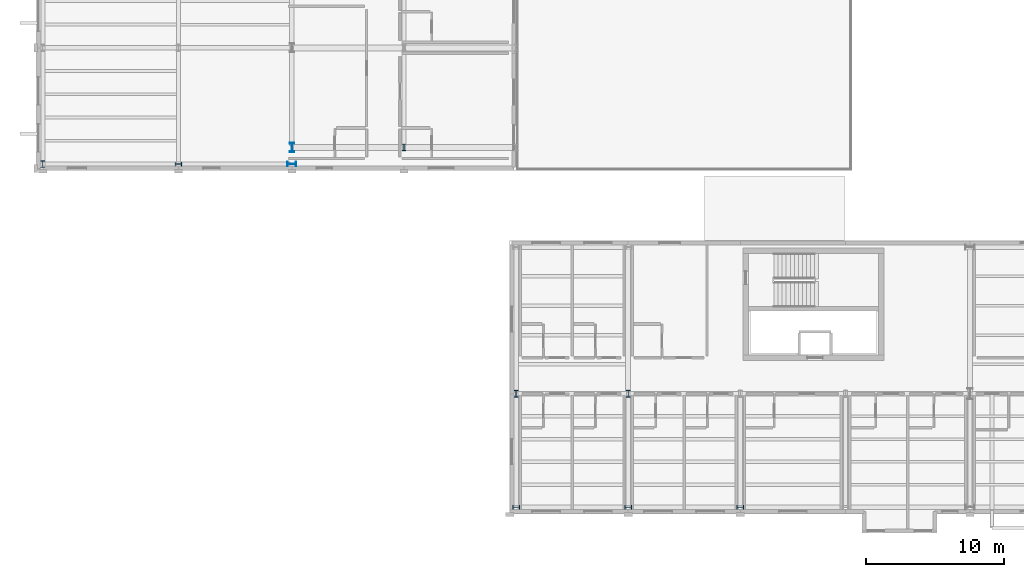
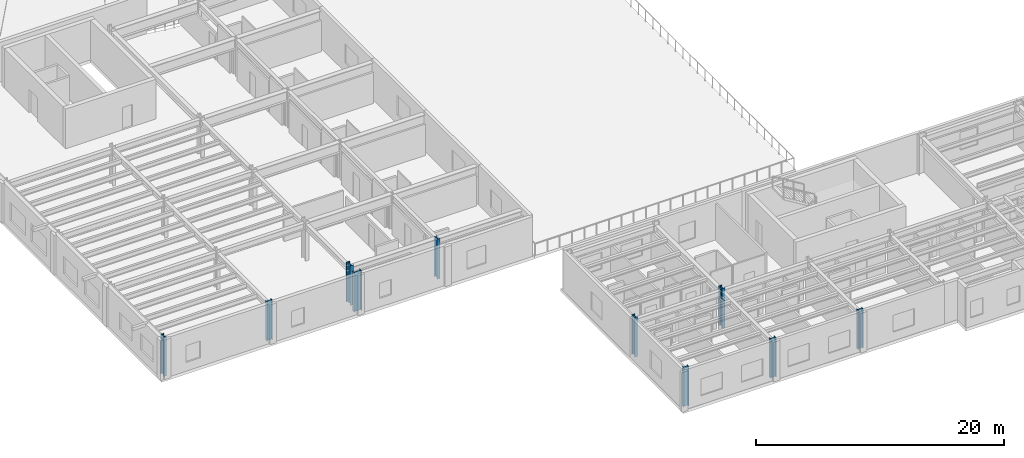
# One storey, part 1 of 59: 10 columns.
"""IFC4 building model written with IfcOpenShell, lengths in metres."""

import ifcopenshell
import ifcopenshell.guid

model = None  # the IFC model being written
_history = None  # IfcOwnerHistory: only IFC2X3 demands one
_inside = {}  # id of a spatial element -> (the spatial element, [elements in it])
_under = {}  # id of a project, library or spatial element -> (it, [spatial elements below it])
_declared = {}  # id of a project -> (the project, [libraries it declares])
_typed = {}  # id of a type object -> (the type object, [elements of that type])
_made_of = {}  # id of a material, layer set ... -> (it, [elements and type objects made of it])


def new_model(schema):
    """Start an empty IFC model of exactly this schema.

    Asked for "IFC4X3", IfcOpenShell would pick the latest addendum, in which some entities
    have other attributes; the version numbers below select the first issue.
    IFC2X3 requires an IfcOwnerHistory on every rooted entity: one is made here for all.
    """
    global model, _history
    if schema == "IFC4X3":
        model = ifcopenshell.file(schema_version=(4, 3, 0, 0))
    else:
        model = ifcopenshell.file(schema=schema)
    _inside.clear()
    _under.clear()
    _declared.clear()
    _typed.clear()
    _made_of.clear()
    _history = None
    if model.schema == "IFC2X3":
        org = make("IfcOrganization", Name="unknown")
        user = make(
            "IfcPersonAndOrganization",
            ThePerson=make("IfcPerson", FamilyName="unknown"),
            TheOrganization=org,
        )
        app = make(
            "IfcApplication",
            ApplicationDeveloper=org,
            Version="unknown",
            ApplicationFullName="unknown",
            ApplicationIdentifier="unknown",
        )
        _history = make(
            "IfcOwnerHistory",
            OwningUser=user,
            OwningApplication=app,
            ChangeAction="ADDED",
            CreationDate=0,
        )
    return model


def make(cls, **values):
    """One entity of the class cls with the attributes given. An attribute that is None is left unset."""
    return model.create_entity(
        cls, **{name: value for name, value in values.items() if value is not None}
    )


def rooted(cls, **values):
    """An entity with a GlobalId (a new one), such as an element, a storey or a relation."""
    return make(cls, GlobalId=ifcopenshell.guid.new(), OwnerHistory=_history, **values)


def si_unit(unit_type, name, prefix=None):
    """IfcSIUnit, for example si_unit("LENGTHUNIT", "METRE", prefix="MILLI")."""
    return make("IfcSIUnit", UnitType=unit_type, Prefix=prefix, Name=name)


def assignment(units):
    """IfcUnitAssignment: the units of a project."""
    return None if units is None else make("IfcUnitAssignment", Units=units)


def point(xyz):
    """IfcCartesianPoint."""
    return None if xyz is None else make("IfcCartesianPoint", Coordinates=xyz)


def direction(xyz):
    """IfcDirection."""
    return None if xyz is None else make("IfcDirection", DirectionRatios=xyz)


def frame(location, z_axis=None, x_axis=None):
    """IfcAxis2Placement3D, a coordinate frame: its origin and axes. An axis left out is left unset."""
    return make(
        "IfcAxis2Placement3D",
        Location=point(location),
        Axis=direction(z_axis),
        RefDirection=direction(x_axis),
    )


def frame_2d(location, x_axis=None):
    """IfcAxis2Placement2D, a coordinate frame in the plane: its origin and x axis."""
    return make(
        "IfcAxis2Placement2D", Location=point(location), RefDirection=direction(x_axis)
    )


def origin():
    """The frame at (0, 0, 0) with its axes left unset."""
    return frame((0.0, 0.0, 0.0))


def origin_2d():
    """The frame at (0, 0) in the plane with its x axis left unset."""
    return frame_2d((0.0, 0.0))


def place(relative_to, where):
    """IfcLocalPlacement: puts the frame where relative to a parent placement (None: the world)."""
    return make(
        "IfcLocalPlacement", PlacementRelTo=relative_to, RelativePlacement=where
    )


def context(
    kind, dimensions, precision=None, world=None, true_north=None, identifier=None
):
    """IfcGeometricRepresentationContext, for example the 3D "Model" context."""
    return make(
        "IfcGeometricRepresentationContext",
        ContextIdentifier=identifier,
        ContextType=kind,
        CoordinateSpaceDimension=dimensions,
        Precision=precision,
        WorldCoordinateSystem=world,
        TrueNorth=true_north,
    )


def subcontext(parent, identifier, kind, view, scale=None):
    """IfcGeometricRepresentationSubContext, for example "Body" below "Model"."""
    return make(
        "IfcGeometricRepresentationSubContext",
        ContextIdentifier=identifier,
        ContextType=kind,
        ParentContext=parent,
        TargetScale=scale,
        TargetView=view,
    )


def project(units=None, contexts=None):
    """IfcProject with its units and contexts."""
    return rooted(
        "IfcProject",
        Name="project",
        RepresentationContexts=contexts,
        UnitsInContext=assignment(units),
    )


def spatial(cls, under=None, at=None, **own):
    """A site, building, storey or space (cls), placed at a placement, below another one or the project."""
    s = rooted(cls, ObjectPlacement=at, **own)
    if under is not None:
        _under.setdefault(under.id(), (under, []))[1].append(s)
    return s


def profile(cls, at=None, kind="AREA", **sizes):
    """A parametric profile (cls). Its sizes go by their IFC names, for example OverallWidth=200.0."""
    return make(cls, ProfileType=kind, Position=at, **sizes)


def i_section(**sizes):
    """IfcIShapeProfileDef."""
    return profile("IfcIShapeProfileDef", **sizes)


def extrude(swept, where, along, depth):
    """IfcExtrudedAreaSolid: the profile swept, set in the frame where, extruded along a direction by depth."""
    return make(
        "IfcExtrudedAreaSolid",
        SweptArea=swept,
        Position=where,
        ExtrudedDirection=direction(along),
        Depth=depth,
    )


def shape(context_of_items, identifier, shape_type, items):
    """IfcShapeRepresentation: the items that make up one representation, for example the "Body"."""
    return make(
        "IfcShapeRepresentation",
        ContextOfItems=context_of_items,
        RepresentationIdentifier=identifier,
        RepresentationType=shape_type,
        Items=items,
    )


def material(Name=None, Category=None):
    """IfcMaterial."""
    return make("IfcMaterial", Name=Name, Category=Category)


def material_profile(
    of_material, cross_section, Name=None, Category=None, Priority=None
):
    """IfcMaterialProfile: a cross section and its material."""
    return make(
        "IfcMaterialProfile",
        Name=Name,
        Material=of_material,
        Profile=cross_section,
        Priority=Priority,
        Category=Category,
    )


def profile_set(profiles, Name=None, composite=None):
    """IfcMaterialProfileSet."""
    return make(
        "IfcMaterialProfileSet",
        Name=Name,
        MaterialProfiles=profiles,
        CompositeProfile=composite,
    )


def made_of(thing, what):
    """Note that an element or type object is made of a material, layer set ...; save() writes the relation."""
    if what is not None:
        _made_of.setdefault(what.id(), (what, []))[1].append(thing)
    return thing


def type_object(cls, material=None, **own):
    """A type object (cls), such as IfcWallType, which elements share."""
    return made_of(rooted(cls, **own), material)


def element(
    cls,
    number,
    at=None,
    inside=None,
    cuts=None,
    type_object=None,
    material=None,
    context=None,
    identifier="Body",
    shape_type=None,
    held_by="IfcProductDefinitionShape",
    body=None,
    shapes=None,
    **own,
):
    """One element of the class cls, such as IfcWall. Its Tag is "e" and its number.

    at: its placement. inside: the storey or other place that contains it. cuts: it is an
    opening in that element (IfcRelVoidsElement). A single representation is given by context,
    identifier, shape_type and body (its items); several are given by shapes. held_by: the class
    of the entity that holds the representations. save() writes the other relations.
    """
    e = rooted(cls, Tag="e%d" % number, ObjectPlacement=at, **own)
    if body is not None:
        shapes = [shape(context, identifier, shape_type, body)]
    if shapes is not None:
        e.Representation = make(held_by, Representations=shapes)
    if inside is not None:
        _inside.setdefault(inside.id(), (inside, []))[1].append(e)
    if cuts is not None:
        rooted(
            "IfcRelVoidsElement", RelatingBuildingElement=cuts, RelatedOpeningElement=e
        )
    if type_object is not None:
        _typed.setdefault(type_object.id(), (type_object, []))[1].append(e)
    return made_of(e, material)


def aggregate(whole, parts):
    """IfcRelAggregates: a whole, such as a stair, and the parts it consists of."""
    return rooted("IfcRelAggregates", RelatingObject=whole, RelatedObjects=parts)


def save(model, path):
    """Write the relations noted so far, then the file.

    IfcRelAggregates (storeys below a building ...), IfcRelContainedInSpatialStructure (elements
    in a storey), IfcRelDefinesByType, IfcRelAssociatesMaterial and IfcRelDeclares: one each for
    every whole, place, type object, material and project.
    """
    for whole, parts in _under.values():
        aggregate(whole, parts)
    for where, things in _inside.values():
        rooted(
            "IfcRelContainedInSpatialStructure",
            RelatedElements=things,
            RelatingStructure=where,
        )
    for kind, things in _typed.values():
        rooted("IfcRelDefinesByType", RelatedObjects=things, RelatingType=kind)
    for what, things in _made_of.values():
        rooted("IfcRelAssociatesMaterial", RelatedObjects=things, RelatingMaterial=what)
    for by, libraries in _declared.values():
        rooted("IfcRelDeclares", RelatingContext=by, RelatedDefinitions=libraries)
    model.write(path)


model = new_model("IFC4")

# Units and contexts
model_context = context("Model", 3, precision=1e-05, world=origin(), true_north=direction((0.0, 1.0)))
body_context = subcontext(model_context, "Body", "Model", "MODEL_VIEW")
ifc_project = project(units=[si_unit("LENGTHUNIT", "METRE"), si_unit("AREAUNIT", "SQUARE_METRE"), si_unit("VOLUMEUNIT", "CUBIC_METRE"), si_unit("PLANEANGLEUNIT", "RADIAN"), si_unit("MASSUNIT", "GRAM", prefix="KILO")], contexts=[model_context])

# Site, building, storey
site_placement = place(None, origin())
site = spatial("IfcSite", under=ifc_project, at=site_placement, CompositionType="ELEMENT")
building_placement = place(site_placement, origin())
building = spatial("IfcBuilding", under=site, at=building_placement, Name="Sollismere Congress Hotel", CompositionType="ELEMENT")
storey_placement = place(building_placement, frame((0.0, 0.0, 15.60009765625)))
storey = spatial("IfcBuildingStorey", under=building, at=storey_placement, Name="L03", CompositionType="ELEMENT", Elevation=15.60009765625)

# Columns
ifc_material = material(Name="Steel ASTM A992 Grade 50", Category="steel")
ifc_material_profile_1 = material_profile(ifc_material, i_section(OverallWidth=0.283935546875, OverallDepth=0.4951171875, WebThickness=0.0185546875, FlangeThickness=0.033447265625, at=origin_2d()), Name="W18X143")
ifc_profile_set_1 = profile_set([ifc_material_profile_1], Name="Steel ASTM A992 Grade 50")
column_type_1 = type_object("IfcColumnType", Name="COL-W18", PredefinedType="COLUMN", material=ifc_profile_set_1)
for number, where, z_axis, x_axis, name in (
    (1, (0.0, 24.800048828125, 0.0), (0.0, 0.0, 1.0), (1.0, 0.0, 0.0), "Column CL-L03-008"),
    (2, (9.800048828125, 24.800048828125, 0.0), (0.0, 0.0, 1.0), (0.0, 1.0, 0.0), "Column CL-L03-046"),
    (3, (34.199951171875, 0.0, 0.0), (0.0, 0.0, 1.0), (0.0, 1.0, 0.0), "Column CL-L03-119"),
    (4, (34.199951171875, 8.199951171875, 0.0), (0.0, 0.0, 1.0), (1.0, 0.0, 0.0), "Column CL-L03-127"),
    (5, (42.300048828125, 0.0, 0.0), (0.0, 0.0, 1.0), (0.0, 1.0, 0.0), "Column CL-L03-154"),
    (6, (42.300048828125, 8.199951171875, 0.0), (0.0, 0.0, 1.0), (1.0, 0.0, 0.0), "Column CL-L03-162"),
    (7, (50.39990234375, 0.0, 0.0), (0.0, 0.0, 1.0), (0.0, 1.0, 0.0), "Column CL-L03-189"),
):
    element("IfcColumn", number, at=place(storey_placement, frame(where, z_axis=z_axis, x_axis=x_axis)), inside=storey, type_object=column_type_1, Name=name, PredefinedType="COLUMN", context=body_context, shape_type="SweptSolid", body=[
        extrude(i_section(OverallWidth=0.283935546875, OverallDepth=0.4951171875, WebThickness=0.0185546875, FlangeThickness=0.033447265625, at=origin_2d()), origin(), (0.0, 0.0, 1.0), 3.89990234375),
    ])
column_placement = place(storey_placement, frame((26.10009765625, 26.0, -0.300048828125), z_axis=(0.0, 0.0, 1.0), x_axis=(1.0, 0.0, 0.0)))
element("IfcColumn", 8, at=column_placement, inside=storey, type_object=column_type_1, Name="COL-V3P-12", PredefinedType="COLUMN", context=body_context, shape_type="SweptSolid", body=[
    extrude(i_section(OverallWidth=0.283935546875, OverallDepth=0.4951171875, WebThickness=0.0185546875, FlangeThickness=0.033447265625, at=origin_2d()), origin(), (0.0, 0.0, 1.0), 3.925048828125),
])
ifc_material_profile_2 = material_profile(ifc_material, i_section(OverallWidth=0.3330078125, OverallDepth=0.659912109375, WebThickness=0.0244140625, FlangeThickness=0.0439453125, at=origin_2d()), Name="W24X229")
ifc_profile_set_2 = profile_set([ifc_material_profile_2], Name="Steel ASTM A992 Grade 50")
column_type_2 = type_object("IfcColumnType", Name="COL-W24", PredefinedType="COLUMN", material=ifc_profile_set_2)
for number, where, z_axis, x_axis, name in (
    (9, (18.0, 24.800048828125, 0.0), (0.0, 0.0, 1.0), (0.0, 1.0, 0.0), "Column CL-L03-077"),
    (10, (18.0, 26.0, 0.0), (0.0, 0.0, 1.0), (1.0, 0.0, 0.0), "Column CL-L03-1133"),
):
    element("IfcColumn", number, at=place(storey_placement, frame(where, z_axis=z_axis, x_axis=x_axis)), inside=storey, type_object=column_type_2, Name=name, PredefinedType="COLUMN", context=body_context, shape_type="SweptSolid", body=[
        extrude(i_section(OverallWidth=0.3330078125, OverallDepth=0.659912109375, WebThickness=0.0244140625, FlangeThickness=0.0439453125, at=origin_2d()), origin(), (0.0, 0.0, 1.0), 3.89990234375),
    ])

save(model, "model.ifc")
